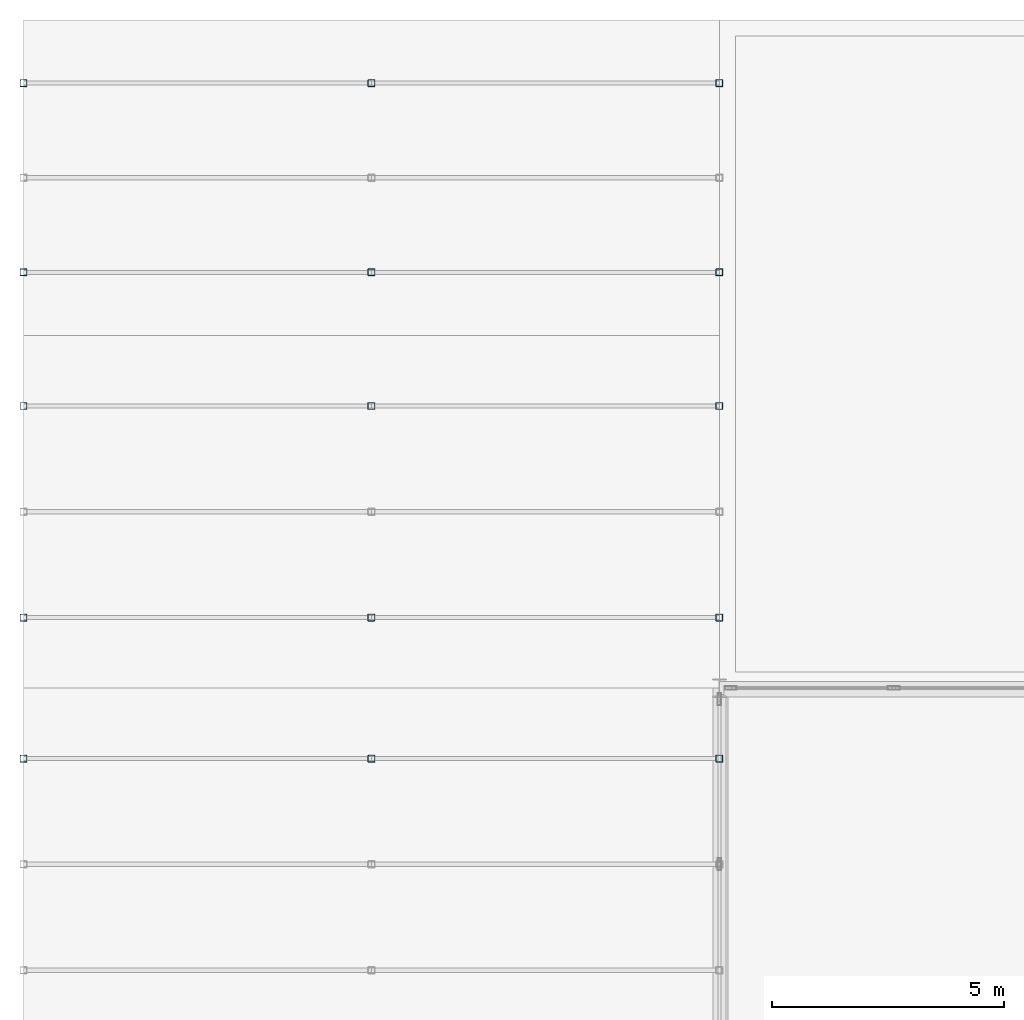
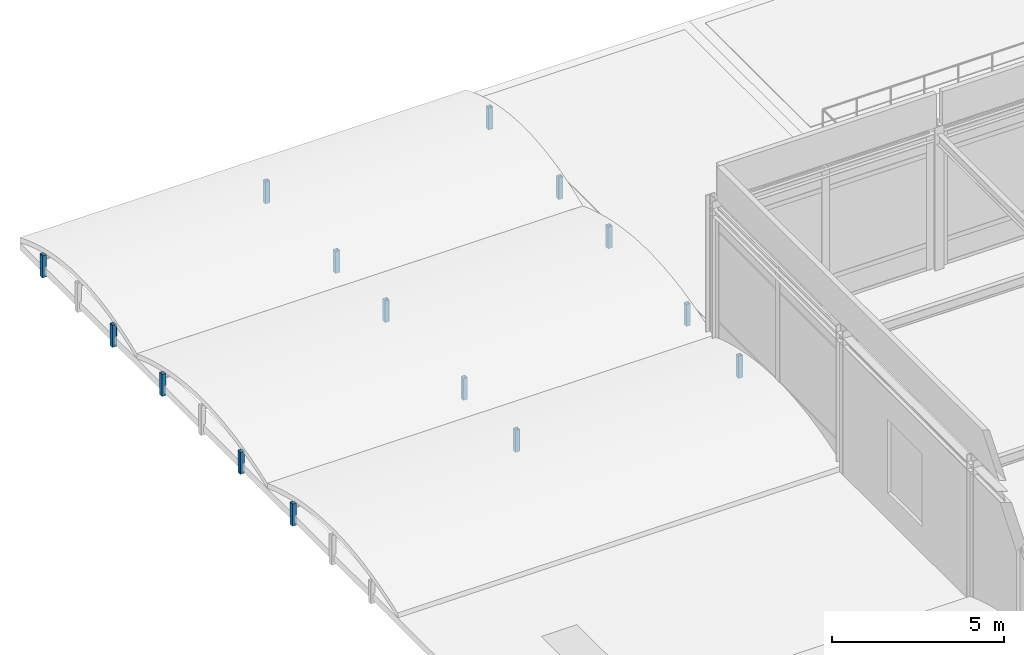
# One storey, part 52 of 79: 15 members.
"""IFC4 building model written with IfcOpenShell, lengths in metres."""

import ifcopenshell
import ifcopenshell.guid

model = None  # the IFC model being written
_history = None  # IfcOwnerHistory: only IFC2X3 demands one
_inside = {}  # id of a spatial element -> (the spatial element, [elements in it])
_under = {}  # id of a project, library or spatial element -> (it, [spatial elements below it])
_declared = {}  # id of a project -> (the project, [libraries it declares])
_typed = {}  # id of a type object -> (the type object, [elements of that type])
_made_of = {}  # id of a material, layer set ... -> (it, [elements and type objects made of it])


def new_model(schema):
    """Start an empty IFC model of exactly this schema.

    Asked for "IFC4X3", IfcOpenShell would pick the latest addendum, in which some entities
    have other attributes; the version numbers below select the first issue.
    IFC2X3 requires an IfcOwnerHistory on every rooted entity: one is made here for all.
    """
    global model, _history
    if schema == "IFC4X3":
        model = ifcopenshell.file(schema_version=(4, 3, 0, 0))
    else:
        model = ifcopenshell.file(schema=schema)
    _inside.clear()
    _under.clear()
    _declared.clear()
    _typed.clear()
    _made_of.clear()
    _history = None
    if model.schema == "IFC2X3":
        org = make("IfcOrganization", Name="unknown")
        user = make(
            "IfcPersonAndOrganization",
            ThePerson=make("IfcPerson", FamilyName="unknown"),
            TheOrganization=org,
        )
        app = make(
            "IfcApplication",
            ApplicationDeveloper=org,
            Version="unknown",
            ApplicationFullName="unknown",
            ApplicationIdentifier="unknown",
        )
        _history = make(
            "IfcOwnerHistory",
            OwningUser=user,
            OwningApplication=app,
            ChangeAction="ADDED",
            CreationDate=0,
        )
    return model


def make(cls, **values):
    """One entity of the class cls with the attributes given. An attribute that is None is left unset."""
    return model.create_entity(
        cls, **{name: value for name, value in values.items() if value is not None}
    )


def rooted(cls, **values):
    """An entity with a GlobalId (a new one), such as an element, a storey or a relation."""
    return make(cls, GlobalId=ifcopenshell.guid.new(), OwnerHistory=_history, **values)


def si_unit(unit_type, name, prefix=None):
    """IfcSIUnit, for example si_unit("LENGTHUNIT", "METRE", prefix="MILLI")."""
    return make("IfcSIUnit", UnitType=unit_type, Prefix=prefix, Name=name)


def assignment(units):
    """IfcUnitAssignment: the units of a project."""
    return None if units is None else make("IfcUnitAssignment", Units=units)


def point(xyz):
    """IfcCartesianPoint."""
    return None if xyz is None else make("IfcCartesianPoint", Coordinates=xyz)


def direction(xyz):
    """IfcDirection."""
    return None if xyz is None else make("IfcDirection", DirectionRatios=xyz)


def frame(location, z_axis=None, x_axis=None):
    """IfcAxis2Placement3D, a coordinate frame: its origin and axes. An axis left out is left unset."""
    return make(
        "IfcAxis2Placement3D",
        Location=point(location),
        Axis=direction(z_axis),
        RefDirection=direction(x_axis),
    )


def frame_2d(location, x_axis=None):
    """IfcAxis2Placement2D, a coordinate frame in the plane: its origin and x axis."""
    return make(
        "IfcAxis2Placement2D", Location=point(location), RefDirection=direction(x_axis)
    )


def origin():
    """The frame at (0, 0, 0) with its axes left unset."""
    return frame((0.0, 0.0, 0.0))


def origin_2d():
    """The frame at (0, 0) in the plane with its x axis left unset."""
    return frame_2d((0.0, 0.0))


def place(relative_to, where):
    """IfcLocalPlacement: puts the frame where relative to a parent placement (None: the world)."""
    return make(
        "IfcLocalPlacement", PlacementRelTo=relative_to, RelativePlacement=where
    )


def context(
    kind, dimensions, precision=None, world=None, true_north=None, identifier=None
):
    """IfcGeometricRepresentationContext, for example the 3D "Model" context."""
    return make(
        "IfcGeometricRepresentationContext",
        ContextIdentifier=identifier,
        ContextType=kind,
        CoordinateSpaceDimension=dimensions,
        Precision=precision,
        WorldCoordinateSystem=world,
        TrueNorth=true_north,
    )


def subcontext(parent, identifier, kind, view, scale=None):
    """IfcGeometricRepresentationSubContext, for example "Body" below "Model"."""
    return make(
        "IfcGeometricRepresentationSubContext",
        ContextIdentifier=identifier,
        ContextType=kind,
        ParentContext=parent,
        TargetScale=scale,
        TargetView=view,
    )


def project(units=None, contexts=None):
    """IfcProject with its units and contexts."""
    return rooted(
        "IfcProject",
        Name="project",
        RepresentationContexts=contexts,
        UnitsInContext=assignment(units),
    )


def spatial(cls, under=None, at=None, **own):
    """A site, building, storey or space (cls), placed at a placement, below another one or the project."""
    s = rooted(cls, ObjectPlacement=at, **own)
    if under is not None:
        _under.setdefault(under.id(), (under, []))[1].append(s)
    return s


def profile(cls, at=None, kind="AREA", **sizes):
    """A parametric profile (cls). Its sizes go by their IFC names, for example OverallWidth=200.0."""
    return make(cls, ProfileType=kind, Position=at, **sizes)


def hollow_rectangle(**sizes):
    """IfcRectangleHollowProfileDef."""
    return profile("IfcRectangleHollowProfileDef", **sizes)


def extrude(swept, where, along, depth):
    """IfcExtrudedAreaSolid: the profile swept, set in the frame where, extruded along a direction by depth."""
    return make(
        "IfcExtrudedAreaSolid",
        SweptArea=swept,
        Position=where,
        ExtrudedDirection=direction(along),
        Depth=depth,
    )


def shape(context_of_items, identifier, shape_type, items):
    """IfcShapeRepresentation: the items that make up one representation, for example the "Body"."""
    return make(
        "IfcShapeRepresentation",
        ContextOfItems=context_of_items,
        RepresentationIdentifier=identifier,
        RepresentationType=shape_type,
        Items=items,
    )


def material(Name=None, Category=None):
    """IfcMaterial."""
    return make("IfcMaterial", Name=Name, Category=Category)


def material_profile(
    of_material, cross_section, Name=None, Category=None, Priority=None
):
    """IfcMaterialProfile: a cross section and its material."""
    return make(
        "IfcMaterialProfile",
        Name=Name,
        Material=of_material,
        Profile=cross_section,
        Priority=Priority,
        Category=Category,
    )


def profile_set(profiles, Name=None, composite=None):
    """IfcMaterialProfileSet."""
    return make(
        "IfcMaterialProfileSet",
        Name=Name,
        MaterialProfiles=profiles,
        CompositeProfile=composite,
    )


def made_of(thing, what):
    """Note that an element or type object is made of a material, layer set ...; save() writes the relation."""
    if what is not None:
        _made_of.setdefault(what.id(), (what, []))[1].append(thing)
    return thing


def type_object(cls, material=None, **own):
    """A type object (cls), such as IfcWallType, which elements share."""
    return made_of(rooted(cls, **own), material)


def element(
    cls,
    number,
    at=None,
    inside=None,
    cuts=None,
    type_object=None,
    material=None,
    context=None,
    identifier="Body",
    shape_type=None,
    held_by="IfcProductDefinitionShape",
    body=None,
    shapes=None,
    **own,
):
    """One element of the class cls, such as IfcWall. Its Tag is "e" and its number.

    at: its placement. inside: the storey or other place that contains it. cuts: it is an
    opening in that element (IfcRelVoidsElement). A single representation is given by context,
    identifier, shape_type and body (its items); several are given by shapes. held_by: the class
    of the entity that holds the representations. save() writes the other relations.
    """
    e = rooted(cls, Tag="e%d" % number, ObjectPlacement=at, **own)
    if body is not None:
        shapes = [shape(context, identifier, shape_type, body)]
    if shapes is not None:
        e.Representation = make(held_by, Representations=shapes)
    if inside is not None:
        _inside.setdefault(inside.id(), (inside, []))[1].append(e)
    if cuts is not None:
        rooted(
            "IfcRelVoidsElement", RelatingBuildingElement=cuts, RelatedOpeningElement=e
        )
    if type_object is not None:
        _typed.setdefault(type_object.id(), (type_object, []))[1].append(e)
    return made_of(e, material)


def aggregate(whole, parts):
    """IfcRelAggregates: a whole, such as a stair, and the parts it consists of."""
    return rooted("IfcRelAggregates", RelatingObject=whole, RelatedObjects=parts)


def save(model, path):
    """Write the relations noted so far, then the file.

    IfcRelAggregates (storeys below a building ...), IfcRelContainedInSpatialStructure (elements
    in a storey), IfcRelDefinesByType, IfcRelAssociatesMaterial and IfcRelDeclares: one each for
    every whole, place, type object, material and project.
    """
    for whole, parts in _under.values():
        aggregate(whole, parts)
    for where, things in _inside.values():
        rooted(
            "IfcRelContainedInSpatialStructure",
            RelatedElements=things,
            RelatingStructure=where,
        )
    for kind, things in _typed.values():
        rooted("IfcRelDefinesByType", RelatedObjects=things, RelatingType=kind)
    for what, things in _made_of.values():
        rooted("IfcRelAssociatesMaterial", RelatedObjects=things, RelatingMaterial=what)
    for by, libraries in _declared.values():
        rooted("IfcRelDeclares", RelatingContext=by, RelatedDefinitions=libraries)
    model.write(path)


model = new_model("IFC4")

# Units and contexts
model_context = context("Model", 3, precision=1e-05, world=origin(), true_north=direction((0.0, 1.0)))
body_context = subcontext(model_context, "Body", "Model", "MODEL_VIEW")
ifc_project = project(units=[si_unit("LENGTHUNIT", "METRE"), si_unit("AREAUNIT", "SQUARE_METRE"), si_unit("VOLUMEUNIT", "CUBIC_METRE"), si_unit("PLANEANGLEUNIT", "RADIAN"), si_unit("MASSUNIT", "GRAM", prefix="KILO")], contexts=[model_context])

# Site, building, storey
site_placement = place(None, origin())
site = spatial("IfcSite", under=ifc_project, at=site_placement, CompositionType="ELEMENT")
building_placement = place(site_placement, origin())
building = spatial("IfcBuilding", under=site, at=building_placement, Name="Shalkamar Park Central Library", CompositionType="ELEMENT")
storey_placement = place(building_placement, frame((0.0, 0.0, 10.5)))
storey = spatial("IfcBuildingStorey", under=building, at=storey_placement, Name="L03", CompositionType="ELEMENT", Elevation=10.5)

# Members
ifc_material = material(Name="Steel S355", Category="steel")
ifc_material_profile = material_profile(ifc_material, hollow_rectangle(XDim=0.14990234375, YDim=0.14990234375, WallThickness=0.008056640625, InnerFilletRadius=0.008056640625, OuterFilletRadius=0.011962890625, at=origin_2d()), Name="SHS 150x150x8")
ifc_profile_set = profile_set([ifc_material_profile], Name="Steel S355")
member_type = type_object("IfcMemberType", Name="Diagonal Brace SHS150", PredefinedType="BRACE", material=ifc_profile_set)
for number, where, z_axis, x_axis, name in (
    (1, (135.0, 322.080078125, -0.360107421875), (0.0, 0.0, 1.0), (1.0, 0.0, 0.0), "Vault Arch Post BV-L02-W8-03.3"),
    (2, (142.5, 322.080078125, -0.360107421875), (0.0, 0.0, 1.0), (1.0, 0.0, 0.0), "Vault Arch Post BV-L02-W8-04.3"),
    (3, (150.0, 322.080078125, -0.360107421875), (0.0, 0.0, 1.0), (1.0, 0.0, 0.0), "Vault Arch Post BV-L02-W8-05.3"),
    (4, (135.0, 325.1201171875, -0.360107421875), (0.0, 0.0, 1.0), (1.0, 0.0, 0.0), "Vault Arch Post BV-L02-W9-03.1"),
    (5, (135.0, 329.679931640625, -0.360107421875), (0.0, 0.0, 1.0), (1.0, 0.0, 0.0), "Vault Arch Post BV-L02-W9-03.3"),
    (6, (142.5, 325.1201171875, -0.360107421875), (0.0, 0.0, 1.0), (1.0, 0.0, 0.0), "Vault Arch Post BV-L02-W9-04.1"),
    (7, (142.5, 329.679931640625, -0.360107421875), (0.0, 0.0, 1.0), (1.0, 0.0, 0.0), "Vault Arch Post BV-L02-W9-04.3"),
    (8, (150.0, 325.1201171875, -0.360107421875), (0.0, 0.0, 1.0), (1.0, 0.0, 0.0), "Vault Arch Post BV-L02-W9-05.1"),
    (9, (150.0, 329.679931640625, -0.360107421875), (0.0, 0.0, 1.0), (1.0, 0.0, 0.0), "Vault Arch Post BV-L02-W9-05.3"),
    (10, (135.0, 332.56005859375, -0.360107421875), (0.0, 0.0, 1.0), (1.0, 0.0, 0.0), "Vault Arch Post BV-L02-W10-03.1"),
    (11, (135.0, 336.639892578125, -0.360107421875), (0.0, 0.0, 1.0), (1.0, 0.0, 0.0), "Vault Arch Post BV-L02-W10-03.3"),
    (12, (142.5, 332.56005859375, -0.360107421875), (0.0, 0.0, 1.0), (1.0, 0.0, 0.0), "Vault Arch Post BV-L02-W10-04.1"),
    (13, (142.5, 336.639892578125, -0.360107421875), (0.0, 0.0, 1.0), (1.0, 0.0, 0.0), "Vault Arch Post BV-L02-W10-04.3"),
    (14, (150.0, 332.56005859375, -0.360107421875), (0.0, 0.0, 1.0), (1.0, 0.0, 0.0), "Vault Arch Post BV-L02-W10-05.1"),
    (15, (150.0, 336.639892578125, -0.360107421875), (0.0, 0.0, 1.0), (1.0, 0.0, 0.0), "Vault Arch Post BV-L02-W10-05.3"),
):
    element("IfcMember", number, at=place(storey_placement, frame(where, z_axis=z_axis, x_axis=x_axis)), inside=storey, type_object=member_type, Name=name, PredefinedType="BRACE", context=body_context, shape_type="SweptSolid", body=[
        extrude(hollow_rectangle(XDim=0.14990234375, YDim=0.14990234375, WallThickness=0.008056640625, InnerFilletRadius=0.008056640625, OuterFilletRadius=0.011962890625, at=origin_2d()), origin(), (0.0, 0.0, 1.0), 0.781005859375),
    ])

save(model, "model.ifc")
